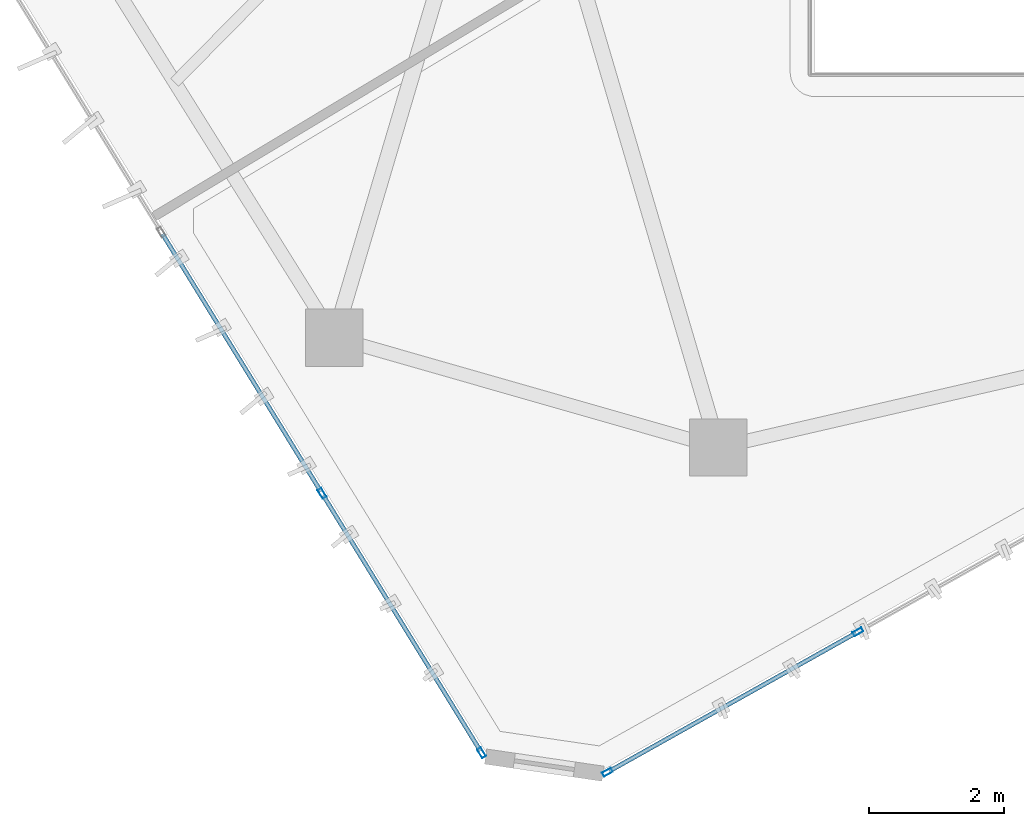
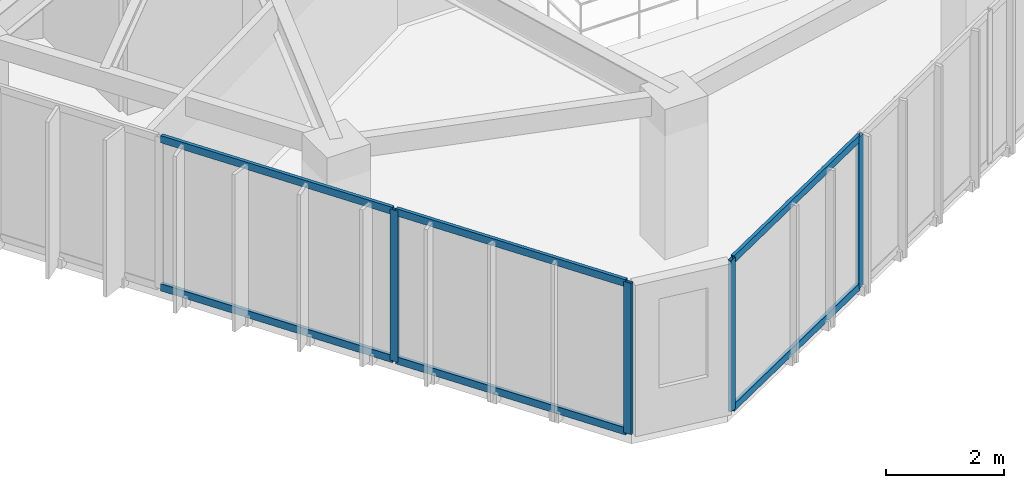
# One storey, part 2 of 20: 10 members, 2 elements without a shape of their own.
"""IFC4 building model written with IfcOpenShell, lengths in metres."""

from ifc_helpers import new_model, si_unit, direction, frame, origin, origin_2d, place, context, subcontext, project, spatial, hollow_rectangle, extrude, source, transform, mapped, material, layer, layer_set, material_profile, profile_set, type_object, type_shapes, element, aggregate, save


model = new_model("IFC4")

# Units and contexts
model_context = context("Model", 3, precision=1e-05, world=origin(), true_north=direction((0.0, 1.0)))
body_context = subcontext(model_context, "Body", "Model", "MODEL_VIEW")
ifc_project = project(units=[si_unit("LENGTHUNIT", "METRE"), si_unit("AREAUNIT", "SQUARE_METRE"), si_unit("VOLUMEUNIT", "CUBIC_METRE"), si_unit("PLANEANGLEUNIT", "RADIAN"), si_unit("MASSUNIT", "GRAM", prefix="KILO")], contexts=[model_context])

# Site, building, storey
site_placement = place(None, origin())
site = spatial("IfcSite", under=ifc_project, at=site_placement, CompositionType="ELEMENT")
building_placement = place(site_placement, origin())
building = spatial("IfcBuilding", under=site, at=building_placement, Name="Talar Marvaseh", CompositionType="ELEMENT")
storey_placement = place(building_placement, frame((0.0, 0.0, 257.800048828125)))
storey = spatial("IfcBuildingStorey", under=building, at=storey_placement, Name="L68", CompositionType="ELEMENT", Elevation=257.800048828125)

# Curtain wall, members
ifc_material = material(Name="Architectural Aluminium", Category="aluminium")
ifc_layer = layer(ifc_material, 0.179931640625)
ifc_layer_set = layer_set([ifc_layer], Name="Architectural Aluminium")
curtain_wall_type = type_object("IfcCurtainWallType", Name="Unitised High-Wind Sky Curtain Wall Z4", PredefinedType="NOTDEFINED", material=ifc_layer_set)
curtain_wall_1_placement = place(storey_placement, origin())
curtain_wall_1 = element("IfcCurtainWall", 1, at=curtain_wall_1_placement, inside=storey, type_object=curtain_wall_type, Name="L68 Unitised High-Wind Sky Curtain Wall Z4", PredefinedType="NOTDEFINED")
ifc_material_profile_1 = material_profile(ifc_material, hollow_rectangle(XDim=0.06494140625, YDim=0.14990234375, WallThickness=0.00390625, at=origin_2d()), Name="RHS150x65x4")
ifc_profile_set_1 = profile_set([ifc_material_profile_1], Name="Architectural Aluminium")
member_type_1 = type_object("IfcMemberType", Name="Unitised Curtain Wall Slim Mullion RHS150x65x4", PredefinedType="MULLION", material=ifc_profile_set_1)
shared_shape_1 = source(origin(), body_context, "Body", "SweptSolid", [
    extrude(hollow_rectangle(XDim=0.06494140625, YDim=0.14990234375, WallThickness=0.00390625, at=origin_2d()), origin(), (0.0, 0.0, 1.0), 3.139892578125),
])
type_shapes(member_type_1, [shared_shape_1])
member_1_placement = place(storey_placement, frame((18.26806640625, 10.516845703125, 0.0), z_axis=(0.0, 0.0, 1.0), x_axis=(-0.851762049618, -0.523928822294, 0.0)))
member_1 = element("IfcMember", 2, at=member_1_placement, type_object=member_type_1, Name="CW-Z4 mullion 1", PredefinedType="MULLION", context=body_context, shape_type="MappedRepresentation", body=[
    mapped(shared_shape_1, transform((0.0, 0.0, 0.0), x_axis=(1.0, 0.0, 0.0), y_axis=(0.0, 1.0, 0.0), z_axis=(0.0, 0.0, 1.0), scale=1.0)),
])
member_2_placement = place(storey_placement, frame((15.90380859375, 14.3603515625, 0.0), z_axis=(0.0, 0.0, 1.0), x_axis=(-0.851762049618, -0.523928822294, 0.0)))
member_2 = element("IfcMember", 3, at=member_2_placement, type_object=member_type_1, Name="CW-Z4 mullion 2", PredefinedType="MULLION", context=body_context, shape_type="MappedRepresentation", body=[
    mapped(shared_shape_1, transform((0.0, 0.0, 0.0), x_axis=(1.0, 0.0, 0.0), y_axis=(0.0, 1.0, 0.0), z_axis=(0.0, 0.0, 1.0), scale=1.0)),
])

curtain_wall_2_placement = place(storey_placement, origin())
curtain_wall_2 = element("IfcCurtainWall", 4, at=curtain_wall_2_placement, inside=storey, type_object=curtain_wall_type, Name="L68 Unitised High-Wind Sky Curtain Wall Z4", PredefinedType="NOTDEFINED")
member_3_placement = place(storey_placement, frame((23.84423828125, 12.30859375, 0.0), z_axis=(0.0, 0.0, 1.0), x_axis=(0.488753794255, -0.872421760734, 0.0)))
member_3 = element("IfcMember", 5, at=member_3_placement, type_object=member_type_1, Name="CW-Z4 mullion 4", PredefinedType="MULLION", context=body_context, shape_type="MappedRepresentation", body=[
    mapped(shared_shape_1, transform((0.0, 0.0, 0.0), x_axis=(1.0, 0.0, 0.0), y_axis=(0.0, 1.0, 0.0), z_axis=(0.0, 0.0, 1.0), scale=1.0)),
])
member_4_placement = place(storey_placement, frame((20.13330078125, 10.2294921875, 0.0), z_axis=(0.0, 0.0, 1.0), x_axis=(0.488753794255, -0.872421760734, 0.0)))
member_4 = element("IfcMember", 6, at=member_4_placement, type_object=member_type_1, Name="CW-Z4 mullion 5", PredefinedType="MULLION", context=body_context, shape_type="MappedRepresentation", body=[
    mapped(shared_shape_1, transform((0.0, 0.0, 0.0), x_axis=(1.0, 0.0, 0.0), y_axis=(0.0, 1.0, 0.0), z_axis=(0.0, 0.0, 1.0), scale=1.0)),
])

# Member
ifc_material_profile_2 = material_profile(ifc_material, hollow_rectangle(XDim=0.06494140625, YDim=0.14990234375, WallThickness=0.00390625, at=origin_2d()), Name="RHS150x65x4")
ifc_profile_set_2 = profile_set([ifc_material_profile_2], Name="Architectural Aluminium")
member_type_2 = type_object("IfcMemberType", Name="Unitised Curtain Wall Slim Transom RHS150x65x4", PredefinedType="USERDEFINED", material=ifc_profile_set_2)
shared_shape_2 = source(origin(), body_context, "Body", "SweptSolid", [
    extrude(hollow_rectangle(XDim=0.06494140625, YDim=0.14990234375, WallThickness=0.00390625, at=origin_2d()), origin(), (0.0, 0.0, 1.0), 4.447265625),
])
member_5_placement = place(storey_placement, frame((18.2509765625, 10.54443359375, 0.032470703125), z_axis=(-0.523925894987, 0.851763850232, 0.0), x_axis=(-0.851763850232, -0.523925894987, 0.0)))
member_5 = element("IfcMember", 7, at=member_5_placement, type_object=member_type_2, Name="CW-Z4 transom 1.1", ObjectType="TRANSOM", PredefinedType="USERDEFINED", context=body_context, shape_type="MappedRepresentation", body=[
    mapped(shared_shape_2, transform((0.0, 0.0, 0.0), x_axis=(1.0, 0.0, 0.0), y_axis=(0.0, 1.0, 0.0), z_axis=(0.0, 0.0, 1.0), scale=1.0)),
])

member_6_placement = place(storey_placement, frame((18.2509765625, 10.54443359375, 3.107421875), z_axis=(-0.523925894987, 0.851763850232, 0.0), x_axis=(-0.851763850232, -0.523925894987, 0.0)))
member_6 = element("IfcMember", 8, at=member_6_placement, type_object=member_type_2, Name="CW-Z4 transom 1.2", ObjectType="TRANSOM", PredefinedType="USERDEFINED", context=body_context, shape_type="MappedRepresentation", body=[
    mapped(shared_shape_2, transform((0.0, 0.0, 0.0), x_axis=(1.0, 0.0, 0.0), y_axis=(0.0, 1.0, 0.0), z_axis=(0.0, 0.0, 1.0), scale=1.0)),
])

shared_shape_3 = source(origin(), body_context, "Body", "SweptSolid", [
    extrude(hollow_rectangle(XDim=0.06494140625, YDim=0.14990234375, WallThickness=0.00390625, at=origin_2d()), origin(), (0.0, 0.0, 1.0), 4.47998046875),
])
member_7_placement = place(storey_placement, frame((15.88671875, 14.387939453125, 0.032470703125), z_axis=(-0.523921063737, 0.851766821949, 0.0), x_axis=(-0.851766821949, -0.523921063737, 0.0)))
member_7 = element("IfcMember", 9, at=member_7_placement, type_object=member_type_2, Name="CW-Z4 transom 2.1", ObjectType="TRANSOM", PredefinedType="USERDEFINED", context=body_context, shape_type="MappedRepresentation", body=[
    mapped(shared_shape_3, transform((0.0, 0.0, 0.0), x_axis=(1.0, 0.0, 0.0), y_axis=(0.0, 1.0, 0.0), z_axis=(0.0, 0.0, 1.0), scale=1.0)),
])

member_8_placement = place(storey_placement, frame((15.88671875, 14.387939453125, 3.107421875), z_axis=(-0.523921063737, 0.851766821949, 0.0), x_axis=(-0.851766821949, -0.523921063737, 0.0)))
member_8 = element("IfcMember", 10, at=member_8_placement, type_object=member_type_2, Name="CW-Z4 transom 2.2", ObjectType="TRANSOM", PredefinedType="USERDEFINED", context=body_context, shape_type="MappedRepresentation", body=[
    mapped(shared_shape_3, transform((0.0, 0.0, 0.0), x_axis=(1.0, 0.0, 0.0), y_axis=(0.0, 1.0, 0.0), z_axis=(0.0, 0.0, 1.0), scale=1.0)),
])

aggregate(curtain_wall_1, [member_1, member_2, member_5, member_6, member_7, member_8])

shared_shape_4 = source(origin(), body_context, "Body", "SweptSolid", [
    extrude(hollow_rectangle(XDim=0.06494140625, YDim=0.14990234375, WallThickness=0.00390625, at=origin_2d()), origin(), (0.0, 0.0, 1.0), 4.188720703125),
])
type_shapes(member_type_2, [shared_shape_2, shared_shape_3, shared_shape_4])
member_9_placement = place(storey_placement, frame((23.81591796875, 12.292724609375, 0.032470703125), z_axis=(-0.872408596783, -0.488777291063, 0.0), x_axis=(0.488777291063, -0.872408596783, 0.0)))
member_9 = element("IfcMember", 11, at=member_9_placement, type_object=member_type_2, Name="CW-Z4 transom 4.1", ObjectType="TRANSOM", PredefinedType="USERDEFINED", context=body_context, shape_type="MappedRepresentation", body=[
    mapped(shared_shape_4, transform((0.0, 0.0, 0.0), x_axis=(1.0, 0.0, 0.0), y_axis=(0.0, 1.0, 0.0), z_axis=(0.0, 0.0, 1.0), scale=1.0)),
])

member_10_placement = place(storey_placement, frame((23.81591796875, 12.292724609375, 3.107421875), z_axis=(-0.872408596783, -0.488777291063, 0.0), x_axis=(0.488777291063, -0.872408596783, 0.0)))
member_10 = element("IfcMember", 12, at=member_10_placement, type_object=member_type_2, Name="CW-Z4 transom 4.2", ObjectType="TRANSOM", PredefinedType="USERDEFINED", context=body_context, shape_type="MappedRepresentation", body=[
    mapped(shared_shape_4, transform((0.0, 0.0, 0.0), x_axis=(1.0, 0.0, 0.0), y_axis=(0.0, 1.0, 0.0), z_axis=(0.0, 0.0, 1.0), scale=1.0)),
])

aggregate(curtain_wall_2, [member_3, member_4, member_9, member_10])

save(model, "model.ifc")
